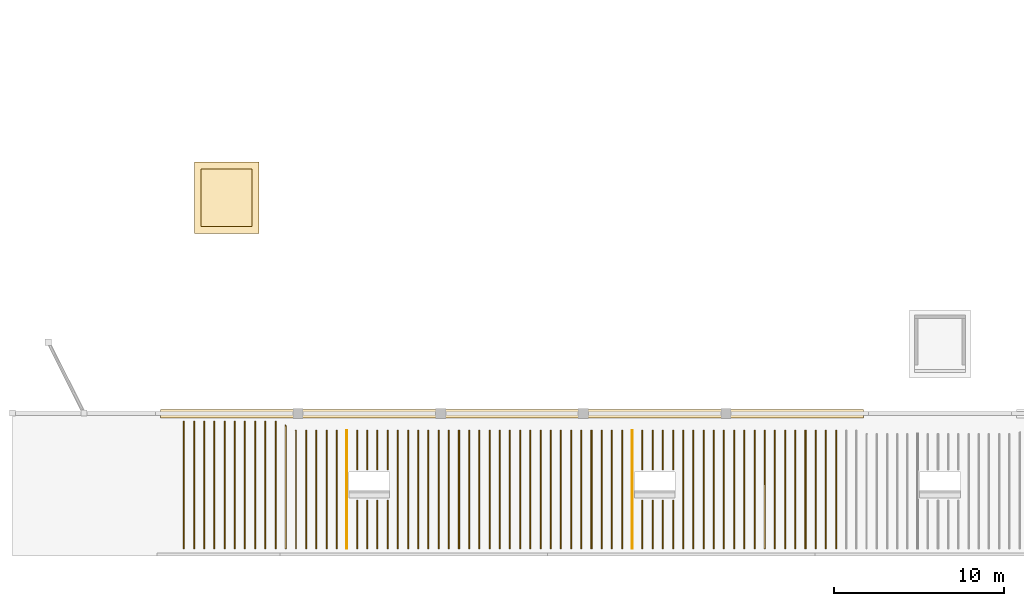
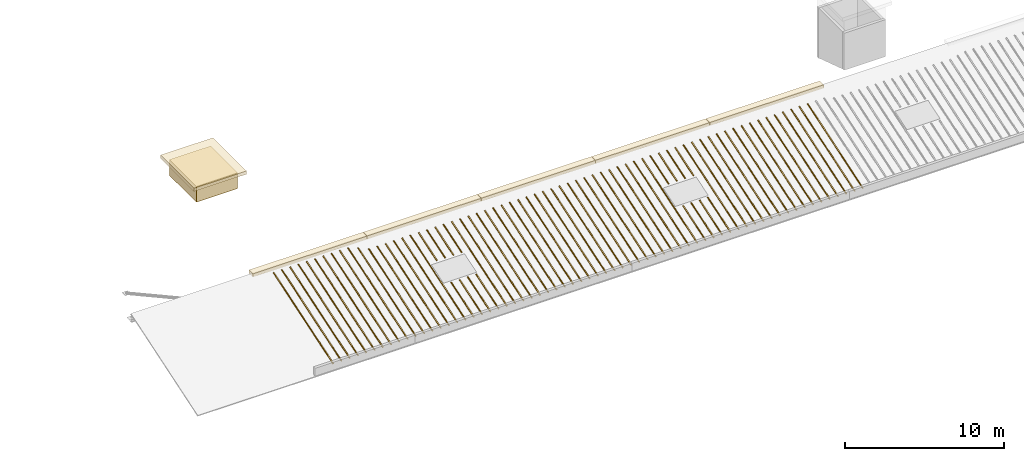
# One storey, part 72 of 91: 80 coverings.
"""IFC4 building model written with IfcOpenShell, lengths in metres."""

import ifcopenshell
import ifcopenshell.guid

model = None  # the IFC model being written
_history = None  # IfcOwnerHistory: only IFC2X3 demands one
_inside = {}  # id of a spatial element -> (the spatial element, [elements in it])
_under = {}  # id of a project, library or spatial element -> (it, [spatial elements below it])
_declared = {}  # id of a project -> (the project, [libraries it declares])
_typed = {}  # id of a type object -> (the type object, [elements of that type])
_made_of = {}  # id of a material, layer set ... -> (it, [elements and type objects made of it])


def new_model(schema):
    """Start an empty IFC model of exactly this schema.

    Asked for "IFC4X3", IfcOpenShell would pick the latest addendum, in which some entities
    have other attributes; the version numbers below select the first issue.
    IFC2X3 requires an IfcOwnerHistory on every rooted entity: one is made here for all.
    """
    global model, _history
    if schema == "IFC4X3":
        model = ifcopenshell.file(schema_version=(4, 3, 0, 0))
    else:
        model = ifcopenshell.file(schema=schema)
    _inside.clear()
    _under.clear()
    _declared.clear()
    _typed.clear()
    _made_of.clear()
    _history = None
    if model.schema == "IFC2X3":
        org = make("IfcOrganization", Name="unknown")
        user = make(
            "IfcPersonAndOrganization",
            ThePerson=make("IfcPerson", FamilyName="unknown"),
            TheOrganization=org,
        )
        app = make(
            "IfcApplication",
            ApplicationDeveloper=org,
            Version="unknown",
            ApplicationFullName="unknown",
            ApplicationIdentifier="unknown",
        )
        _history = make(
            "IfcOwnerHistory",
            OwningUser=user,
            OwningApplication=app,
            ChangeAction="ADDED",
            CreationDate=0,
        )
    return model


def make(cls, **values):
    """One entity of the class cls with the attributes given. An attribute that is None is left unset."""
    return model.create_entity(
        cls, **{name: value for name, value in values.items() if value is not None}
    )


def rooted(cls, **values):
    """An entity with a GlobalId (a new one), such as an element, a storey or a relation."""
    return make(cls, GlobalId=ifcopenshell.guid.new(), OwnerHistory=_history, **values)


def si_unit(unit_type, name, prefix=None):
    """IfcSIUnit, for example si_unit("LENGTHUNIT", "METRE", prefix="MILLI")."""
    return make("IfcSIUnit", UnitType=unit_type, Prefix=prefix, Name=name)


def assignment(units):
    """IfcUnitAssignment: the units of a project."""
    return None if units is None else make("IfcUnitAssignment", Units=units)


def point(xyz):
    """IfcCartesianPoint."""
    return None if xyz is None else make("IfcCartesianPoint", Coordinates=xyz)


def direction(xyz):
    """IfcDirection."""
    return None if xyz is None else make("IfcDirection", DirectionRatios=xyz)


def frame(location, z_axis=None, x_axis=None):
    """IfcAxis2Placement3D, a coordinate frame: its origin and axes. An axis left out is left unset."""
    return make(
        "IfcAxis2Placement3D",
        Location=point(location),
        Axis=direction(z_axis),
        RefDirection=direction(x_axis),
    )


def frame_2d(location, x_axis=None):
    """IfcAxis2Placement2D, a coordinate frame in the plane: its origin and x axis."""
    return make(
        "IfcAxis2Placement2D", Location=point(location), RefDirection=direction(x_axis)
    )


def origin():
    """The frame at (0, 0, 0) with its axes left unset."""
    return frame((0.0, 0.0, 0.0))


def origin_2d():
    """The frame at (0, 0) in the plane with its x axis left unset."""
    return frame_2d((0.0, 0.0))


def place(relative_to, where):
    """IfcLocalPlacement: puts the frame where relative to a parent placement (None: the world)."""
    return make(
        "IfcLocalPlacement", PlacementRelTo=relative_to, RelativePlacement=where
    )


def context(
    kind, dimensions, precision=None, world=None, true_north=None, identifier=None
):
    """IfcGeometricRepresentationContext, for example the 3D "Model" context."""
    return make(
        "IfcGeometricRepresentationContext",
        ContextIdentifier=identifier,
        ContextType=kind,
        CoordinateSpaceDimension=dimensions,
        Precision=precision,
        WorldCoordinateSystem=world,
        TrueNorth=true_north,
    )


def subcontext(parent, identifier, kind, view, scale=None):
    """IfcGeometricRepresentationSubContext, for example "Body" below "Model"."""
    return make(
        "IfcGeometricRepresentationSubContext",
        ContextIdentifier=identifier,
        ContextType=kind,
        ParentContext=parent,
        TargetScale=scale,
        TargetView=view,
    )


def project(units=None, contexts=None):
    """IfcProject with its units and contexts."""
    return rooted(
        "IfcProject",
        Name="project",
        RepresentationContexts=contexts,
        UnitsInContext=assignment(units),
    )


def spatial(cls, under=None, at=None, **own):
    """A site, building, storey or space (cls), placed at a placement, below another one or the project."""
    s = rooted(cls, ObjectPlacement=at, **own)
    if under is not None:
        _under.setdefault(under.id(), (under, []))[1].append(s)
    return s


def polyline(points):
    """IfcPolyline through the points."""
    return make("IfcPolyline", Points=[point(p) for p in points])


def profile(cls, at=None, kind="AREA", **sizes):
    """A parametric profile (cls). Its sizes go by their IFC names, for example OverallWidth=200.0."""
    return make(cls, ProfileType=kind, Position=at, **sizes)


def rectangle(**sizes):
    """IfcRectangleProfileDef."""
    return profile("IfcRectangleProfileDef", **sizes)


def outline(outer, holes=None, kind="AREA"):
    """IfcArbitraryClosedProfileDef: a profile drawn as a closed curve; with holes, ...WithVoids."""
    if holes is None:
        return make("IfcArbitraryClosedProfileDef", ProfileType=kind, OuterCurve=outer)
    return make(
        "IfcArbitraryProfileDefWithVoids",
        ProfileType=kind,
        OuterCurve=outer,
        InnerCurves=holes,
    )


def extrude(swept, where, along, depth):
    """IfcExtrudedAreaSolid: the profile swept, set in the frame where, extruded along a direction by depth."""
    return make(
        "IfcExtrudedAreaSolid",
        SweptArea=swept,
        Position=where,
        ExtrudedDirection=direction(along),
        Depth=depth,
    )


def shape(context_of_items, identifier, shape_type, items):
    """IfcShapeRepresentation: the items that make up one representation, for example the "Body"."""
    return make(
        "IfcShapeRepresentation",
        ContextOfItems=context_of_items,
        RepresentationIdentifier=identifier,
        RepresentationType=shape_type,
        Items=items,
    )


def material(Name=None, Category=None):
    """IfcMaterial."""
    return make("IfcMaterial", Name=Name, Category=Category)


def layer(
    of_material, thickness, ventilated=None, Name=None, Category=None, Priority=None
):
    """IfcMaterialLayer: one layer of a wall or slab, of a material (None: an air gap)."""
    return make(
        "IfcMaterialLayer",
        Material=of_material,
        LayerThickness=thickness,
        IsVentilated=ventilated,
        Name=Name,
        Category=Category,
        Priority=Priority,
    )


def layer_set(layers, Name=None):
    """IfcMaterialLayerSet."""
    return make("IfcMaterialLayerSet", MaterialLayers=layers, LayerSetName=Name)


def made_of(thing, what):
    """Note that an element or type object is made of a material, layer set ...; save() writes the relation."""
    if what is not None:
        _made_of.setdefault(what.id(), (what, []))[1].append(thing)
    return thing


def type_object(cls, material=None, **own):
    """A type object (cls), such as IfcWallType, which elements share."""
    return made_of(rooted(cls, **own), material)


def element(
    cls,
    number,
    at=None,
    inside=None,
    cuts=None,
    type_object=None,
    material=None,
    context=None,
    identifier="Body",
    shape_type=None,
    held_by="IfcProductDefinitionShape",
    body=None,
    shapes=None,
    **own,
):
    """One element of the class cls, such as IfcWall. Its Tag is "e" and its number.

    at: its placement. inside: the storey or other place that contains it. cuts: it is an
    opening in that element (IfcRelVoidsElement). A single representation is given by context,
    identifier, shape_type and body (its items); several are given by shapes. held_by: the class
    of the entity that holds the representations. save() writes the other relations.
    """
    e = rooted(cls, Tag="e%d" % number, ObjectPlacement=at, **own)
    if body is not None:
        shapes = [shape(context, identifier, shape_type, body)]
    if shapes is not None:
        e.Representation = make(held_by, Representations=shapes)
    if inside is not None:
        _inside.setdefault(inside.id(), (inside, []))[1].append(e)
    if cuts is not None:
        rooted(
            "IfcRelVoidsElement", RelatingBuildingElement=cuts, RelatedOpeningElement=e
        )
    if type_object is not None:
        _typed.setdefault(type_object.id(), (type_object, []))[1].append(e)
    return made_of(e, material)


def aggregate(whole, parts):
    """IfcRelAggregates: a whole, such as a stair, and the parts it consists of."""
    return rooted("IfcRelAggregates", RelatingObject=whole, RelatedObjects=parts)


def save(model, path):
    """Write the relations noted so far, then the file.

    IfcRelAggregates (storeys below a building ...), IfcRelContainedInSpatialStructure (elements
    in a storey), IfcRelDefinesByType, IfcRelAssociatesMaterial and IfcRelDeclares: one each for
    every whole, place, type object, material and project.
    """
    for whole, parts in _under.values():
        aggregate(whole, parts)
    for where, things in _inside.values():
        rooted(
            "IfcRelContainedInSpatialStructure",
            RelatedElements=things,
            RelatingStructure=where,
        )
    for kind, things in _typed.values():
        rooted("IfcRelDefinesByType", RelatedObjects=things, RelatingType=kind)
    for what, things in _made_of.values():
        rooted("IfcRelAssociatesMaterial", RelatedObjects=things, RelatingMaterial=what)
    for by, libraries in _declared.values():
        rooted("IfcRelDeclares", RelatingContext=by, RelatedDefinitions=libraries)
    model.write(path)


model = new_model("IFC4")

# Units and contexts
model_context = context("Model", 3, precision=1e-05, world=origin(), true_north=direction((0.0, 1.0)))
body_context = subcontext(model_context, "Body", "Model", "MODEL_VIEW")
ifc_project = project(units=[si_unit("LENGTHUNIT", "METRE"), si_unit("AREAUNIT", "SQUARE_METRE"), si_unit("VOLUMEUNIT", "CUBIC_METRE"), si_unit("PLANEANGLEUNIT", "RADIAN"), si_unit("MASSUNIT", "GRAM", prefix="KILO")], contexts=[model_context])

# Site, building, storey
site_placement = place(None, origin())
site = spatial("IfcSite", under=ifc_project, at=site_placement, CompositionType="ELEMENT")
building_placement = place(site_placement, origin())
building = spatial("IfcBuilding", under=site, at=building_placement, Name="Almond Square Museum", CompositionType="ELEMENT")
storey_placement = place(building_placement, frame((0.0, 0.0, 30.0)))
storey = spatial("IfcBuildingStorey", under=building, at=storey_placement, Name="L05", CompositionType="ELEMENT", Elevation=30.0)

# Coverings
ifc_material_1 = material(Name="Timber deck and membrane roofing", Category="wood")
ifc_layer_1 = layer(ifc_material_1, 0.25)
ifc_layer_set_1 = layer_set([ifc_layer_1], Name="Timber deck and membrane roofing")
covering_type_1 = type_object("IfcCoveringType", Name="Head house cap, timber and membrane", PredefinedType="CLADDING", material=ifc_layer_set_1)
covering_1_placement = place(storey_placement, frame((18.60009765625, 21.10009765625, 1.892578125), z_axis=(0.0, 0.0, 1.0), x_axis=(1.0, 0.0, 0.0)))
element("IfcCovering", 1, at=covering_1_placement, inside=storey, type_object=covering_type_1, Name="Head house roof cap W1", PredefinedType="CLADDING", context=body_context, shape_type="SweptSolid", body=[
    extrude(rectangle(XDim=3.800048828125, YDim=4.199951171875, at=origin_2d()), origin(), (0.0, 0.0, 1.0), 0.25),
])
ifc_material_2 = material(Name="Zinc standing seam cladding")
ifc_layer_2 = layer(ifc_material_2, 1.199951171875)
ifc_layer_set_2 = layer_set([ifc_layer_2], Name="Zinc standing seam cladding")
covering_type_2 = type_object("IfcCoveringType", Name="Lift overrun cladding 1200", PredefinedType="CLADDING", material=ifc_layer_set_2)
covering_2_placement = place(storey_placement, frame((18.60009765625, 21.10009765625, 0.6923828125), z_axis=(0.0, 0.0, 1.0), x_axis=(1.0, 0.0, 0.0)))
element("IfcCovering", 2, at=covering_2_placement, inside=storey, type_object=covering_type_2, Name="Lift overrun cladding W1", PredefinedType="CLADDING", context=body_context, shape_type="SweptSolid", body=[
    extrude(rectangle(XDim=3.0, YDim=3.39990234375, at=origin_2d()), origin(), (0.0, 0.0, 1.0), 1.199951171875),
])
ifc_material_3 = material(Name="Zinc standing seam cladding")
ifc_layer_3 = layer(ifc_material_3, 0.25)
ifc_layer_set_3 = layer_set([ifc_layer_3], Name="Zinc standing seam cladding")
covering_type_3 = type_object("IfcCoveringType", Name="Ridge cap, standing seam zinc", PredefinedType="CLADDING", material=ifc_layer_set_3)
for number, where, z_axis, x_axis, name in (
    (3, (18.840087890625, 8.39990234375, 2.609375), (0.0, 0.0, 1.0), (1.0, 0.0, 0.0), "Ridge cap 1"),
    (4, (27.1201171875, 8.39990234375, 2.609375), (0.0, 0.0, 1.0), (1.0, 0.0, 0.0), "Ridge cap 2"),
    (5, (35.39990234375, 8.39990234375, 2.609375), (0.0, 0.0, 1.0), (1.0, 0.0, 0.0), "Ridge cap 3"),
    (6, (43.679931640625, 8.39990234375, 2.609375), (0.0, 0.0, 1.0), (1.0, 0.0, 0.0), "Ridge cap 4"),
    (7, (51.9599609375, 8.39990234375, 2.609375), (0.0, 0.0, 1.0), (1.0, 0.0, 0.0), "Ridge cap 5"),
):
    element("IfcCovering", number, at=place(storey_placement, frame(where, z_axis=z_axis, x_axis=x_axis)), inside=storey, type_object=covering_type_3, Name=name, PredefinedType="CLADDING", context=body_context, shape_type="SweptSolid", body=[
        extrude(rectangle(XDim=8.260009765625, YDim=0.5, at=origin_2d()), origin(), (0.0, 0.0, 1.0), 0.25),
    ])
ifc_material_4 = material(Name="Zinc standing seam")
ifc_layer_4 = layer(ifc_material_4, 0.0400390625)
ifc_layer_set_4 = layer_set([ifc_layer_4], Name="Zinc standing seam")
covering_type_4 = type_object("IfcCoveringType", Name="Roof standing seam rib 60 x 40", PredefinedType="CLADDING", material=ifc_layer_set_4)
for number, where, z_axis, x_axis, name in (
    (8, (16.050048828125, 0.449951171875, 0.146240234375), (0.0, -0.309002066983, 0.951061366369), (1.0, 0.0, 0.0), "Roof standing seam rib"),
    (9, (16.64990234375, 0.449951171875, 0.146240234375), (0.0, -0.309002066983, 0.951061366369), (1.0, 0.0, 0.0), "Roof standing seam rib"),
    (10, (17.25, 0.449951171875, 0.146240234375), (0.0, -0.309002066983, 0.951061366369), (1.0, 0.0, 0.0), "Roof standing seam rib"),
):
    element("IfcCovering", number, at=place(storey_placement, frame(where, z_axis=z_axis, x_axis=x_axis)), inside=storey, type_object=covering_type_4, Name=name, PredefinedType="CLADDING", context=body_context, shape_type="SweptSolid", body=[
        extrude(outline(polyline([(0.0, 0.0), (0.06005859375, 0.0), (0.06005859375, 7.8859264661675095), (0.0, 7.8859264661675095), (0.0, 0.0)])), origin(), (0.0, 0.0, 1.0), 0.0400390625),
    ])
covering_3_placement = place(storey_placement, frame((17.85009765625, 0.449951171875, 0.146240234375), z_axis=(0.0, -0.309002066983, 0.951061366369), x_axis=(1.0, 0.0, 0.0)))
element("IfcCovering", 11, at=covering_3_placement, inside=storey, type_object=covering_type_4, Name="Roof standing seam rib", PredefinedType="CLADDING", context=body_context, shape_type="SweptSolid", body=[
    extrude(outline(polyline([(0.0, 0.0), (0.059814453125, 0.0), (0.059814453125, 7.8859264661675095), (0.0, 7.8859264661675095), (0.0, 0.0)])), origin(), (0.0, 0.0, 1.0), 0.0400390625),
])
for number, where, z_axis, x_axis, name in (
    (12, (18.449951171875, 0.449951171875, 0.146240234375), (0.0, -0.309002066983, 0.951061366369), (1.0, 0.0, 0.0), "Roof standing seam rib"),
    (13, (19.050048828125, 0.449951171875, 0.146240234375), (0.0, -0.309002066983, 0.951061366369), (1.0, 0.0, 0.0), "Roof standing seam rib"),
    (14, (19.64990234375, 0.449951171875, 0.146240234375), (0.0, -0.309002066983, 0.951061366369), (1.0, 0.0, 0.0), "Roof standing seam rib"),
    (15, (20.25, 0.449951171875, 0.146240234375), (0.0, -0.309002066983, 0.951061366369), (1.0, 0.0, 0.0), "Roof standing seam rib"),
):
    element("IfcCovering", number, at=place(storey_placement, frame(where, z_axis=z_axis, x_axis=x_axis)), inside=storey, type_object=covering_type_4, Name=name, PredefinedType="CLADDING", context=body_context, shape_type="SweptSolid", body=[
        extrude(outline(polyline([(0.0, 0.0), (0.06005859375, 0.0), (0.06005859375, 7.8859264661675095), (0.0, 7.8859264661675095), (0.0, 0.0)])), origin(), (0.0, 0.0, 1.0), 0.0400390625),
    ])
covering_4_placement = place(storey_placement, frame((20.85009765625, 0.449951171875, 0.146240234375), z_axis=(0.0, -0.309002066983, 0.951061366369), x_axis=(1.0, 0.0, 0.0)))
element("IfcCovering", 16, at=covering_4_placement, inside=storey, type_object=covering_type_4, Name="Roof standing seam rib", PredefinedType="CLADDING", context=body_context, shape_type="SweptSolid", body=[
    extrude(outline(polyline([(0.0, 0.0), (0.059814453125, 0.0), (0.059814453125, 7.8859264661675095), (0.0, 7.8859264661675095), (0.0, 0.0)])), origin(), (0.0, 0.0, 1.0), 0.0400390625),
])
covering_5_placement = place(storey_placement, frame((21.449951171875, 0.449951171875, 0.146240234375), z_axis=(0.0, -0.309002066983, 0.951061366369), x_axis=(1.0, 0.0, 0.0)))
element("IfcCovering", 17, at=covering_5_placement, inside=storey, type_object=covering_type_4, Name="Roof standing seam rib", PredefinedType="CLADDING", context=body_context, shape_type="SweptSolid", body=[
    extrude(outline(polyline([(0.0, 0.0), (0.06005859375, 0.0), (0.06005859375, 7.8859264661675095), (0.0, 7.8859264661675095), (0.0, 0.0)])), origin(), (0.0, 0.0, 1.0), 0.0400390625),
])
covering_6_placement = place(storey_placement, frame((22.050048828125, 0.449951171875, 0.146240234375), z_axis=(0.000969371242, -0.308997323303, 0.951062413573), x_axis=(0.99999953016, 0.00029953326, -0.000921932986)))
element("IfcCovering", 18, at=covering_6_placement, inside=storey, type_object=covering_type_4, Name="Roof standing seam rib", PredefinedType="CLADDING", context=body_context, shape_type="SweptSolid", body=[
    extrude(outline(polyline([(0.0, 0.0), (0.06005856553204551, 3.255782891008717e-21), (0.060058621967967754, 7.599414690370121), (-5.643592224449656e-08, 7.66542517437418), (0.0, 0.0)])), origin(), (0.0, 0.0, 1.0), 0.0400390625),
])
covering_7_placement = place(storey_placement, frame((22.64990234375, 0.449951171875, 0.146240234375), z_axis=(-9.0541726e-05, -0.309006091961, 0.951060054325), x_axis=(0.999999995901, -2.7977945e-05, 8.6110619e-05)))
element("IfcCovering", 19, at=covering_7_placement, inside=storey, type_object=covering_type_4, Name="Roof standing seam rib", PredefinedType="CLADDING", context=body_context, shape_type="SweptSolid", body=[
    extrude(outline(polyline([(0.0, 0.0), (0.060058593503825704, 2.034864306880448e-22), (0.060058593996174296, 7.3122063357714255), (-4.923485890089441e-10, 7.320930727618375), (0.0, 0.0)])), origin(), (0.0, 0.0, 1.0), 0.0400390625),
])
covering_8_placement = place(storey_placement, frame((23.25, 0.449951171875, 0.146240234375), z_axis=(0.0, -0.30900221749, 0.951061317469), x_axis=(1.0, 0.0, 0.0)))
element("IfcCovering", 20, at=covering_8_placement, inside=storey, type_object=covering_type_4, Name="Roof standing seam rib", PredefinedType="CLADDING", context=body_context, shape_type="SweptSolid", body=[
    extrude(outline(polyline([(0.0, 0.0), (0.06005859375, 0.0), (0.06005859375, 7.307574227041238), (0.0, 7.307574227041238), (0.0, 0.0)])), origin(), (0.0, 0.0, 1.0), 0.0400390625),
])
covering_9_placement = place(storey_placement, frame((23.85009765625, 0.449951171875, 0.146240234375), z_axis=(0.0, -0.30900221749, 0.951061317469), x_axis=(1.0, 0.0, 0.0)))
element("IfcCovering", 21, at=covering_9_placement, inside=storey, type_object=covering_type_4, Name="Roof standing seam rib", PredefinedType="CLADDING", context=body_context, shape_type="SweptSolid", body=[
    extrude(outline(polyline([(0.0, 0.0), (0.059814453125, 0.0), (0.059814453125, 7.307574227041239), (0.0, 7.307574227041239), (0.0, 0.0)])), origin(), (0.0, 0.0, 1.0), 0.0400390625),
])
for number, where, z_axis, x_axis, name in (
    (22, (24.449951171875, 0.449951171875, 0.146240234375), (0.0, -0.30900221749, 0.951061317469), (1.0, 0.0, 0.0), "Roof standing seam rib"),
    (23, (25.050048828125, 0.449951171875, 0.146240234375), (0.0, -0.30900221749, 0.951061317469), (1.0, 0.0, 0.0), "Roof standing seam rib"),
):
    element("IfcCovering", number, at=place(storey_placement, frame(where, z_axis=z_axis, x_axis=x_axis)), inside=storey, type_object=covering_type_4, Name=name, PredefinedType="CLADDING", context=body_context, shape_type="SweptSolid", body=[
        extrude(outline(polyline([(0.0, 0.0), (0.06005859375, 0.0), (0.06005859375, 7.307574227041238), (0.0, 7.307574227041238), (0.0, 0.0)])), origin(), (0.0, 0.0, 1.0), 0.0400390625),
    ])
covering_10_placement = place(storey_placement, frame((25.64990234375, 0.449951171875, 0.146240234375), z_axis=(0.000379539092, -0.309004860118, 0.951060383137), x_axis=(0.999999927975, 0.000117279432, -0.00036096462)))
element("IfcCovering", 24, at=covering_10_placement, inside=storey, type_object=covering_type_4, Name="Roof standing seam rib", PredefinedType="CLADDING", context=body_context, shape_type="SweptSolid", body=[
    extrude(outline(polyline([(0.0, 0.0), (0.06005858942428196, 0.0), (0.06005858485644865, 2.9967615310696782), (0.05004881995240166, 2.9967615310696782), (0.05004886658086134, 4.889397127556355), (0.06005863148490834, 4.889397127556355), (0.06005859719569191, 7.307574227012552), (7.771409947965498e-09, 7.307574227012552), (0.0, 0.0)])), origin(), (0.0, 0.0, 1.0), 0.0400390625),
])
covering_11_placement = place(storey_placement, frame((26.25, 0.449951171875, 0.146240234375), z_axis=(0.0, -0.309008701899, 0.951059210644), x_axis=(1.0, 0.0, 0.0)))
element("IfcCovering", 25, at=covering_11_placement, inside=storey, type_object=covering_type_4, Name="Roof standing seam rib", PredefinedType="CLADDING", context=body_context, shape_type="SweptSolid", body=[
    extrude(outline(polyline([(0.0, 0.0), (0.06005859375, 0.0), (0.06005859375, 2.9967615310938447), (0.0, 2.9967615310938447), (0.0, 0.0)])), origin(), (0.0, 0.0, 1.0), 0.0400390625),
])
covering_12_placement = place(storey_placement, frame((26.25, 5.10009765625, 1.656982421875), z_axis=(0.0, -0.309040414274, 0.95104890639), x_axis=(1.0, 0.0, 0.0)))
element("IfcCovering", 26, at=covering_12_placement, inside=storey, type_object=covering_type_4, Name="Roof standing seam rib", PredefinedType="CLADDING", context=body_context, shape_type="SweptSolid", body=[
    extrude(outline(polyline([(0.0, 0.0), (0.06005859375, 0.0), (0.06005859375, 2.4181771011438533), (0.0, 2.4181771011438533), (0.0, 0.0)])), origin(), (0.0, 0.0, 1.0), 0.0400390625),
])
covering_13_placement = place(storey_placement, frame((26.85009765625, 0.449951171875, 0.146240234375), z_axis=(0.0, -0.309008701899, 0.951059210644), x_axis=(1.0, 0.0, 0.0)))
element("IfcCovering", 27, at=covering_13_placement, inside=storey, type_object=covering_type_4, Name="Roof standing seam rib", PredefinedType="CLADDING", context=body_context, shape_type="SweptSolid", body=[
    extrude(outline(polyline([(0.0, 0.0), (0.059814453125, 0.0), (0.059814453125, 2.996761531093845), (0.0, 2.996761531093845), (0.0, 0.0)])), origin(), (0.0, 0.0, 1.0), 0.0400390625),
])
covering_14_placement = place(storey_placement, frame((26.85009765625, 5.10009765625, 1.656982421875), z_axis=(0.0, -0.309040414274, 0.95104890639), x_axis=(1.0, 0.0, 0.0)))
element("IfcCovering", 28, at=covering_14_placement, inside=storey, type_object=covering_type_4, Name="Roof standing seam rib", PredefinedType="CLADDING", context=body_context, shape_type="SweptSolid", body=[
    extrude(outline(polyline([(0.0, 0.0), (0.059814453125, 0.0), (0.059814453125, 2.418177101143853), (0.0, 2.418177101143853), (0.0, 0.0)])), origin(), (0.0, 0.0, 1.0), 0.0400390625),
])
covering_15_placement = place(storey_placement, frame((27.449951171875, 0.449951171875, 0.146240234375), z_axis=(0.0, -0.309008701899, 0.951059210644), x_axis=(1.0, 0.0, 0.0)))
element("IfcCovering", 29, at=covering_15_placement, inside=storey, type_object=covering_type_4, Name="Roof standing seam rib", PredefinedType="CLADDING", context=body_context, shape_type="SweptSolid", body=[
    extrude(outline(polyline([(0.0, 0.0), (0.06005859375, 0.0), (0.06005859375, 2.9967615310938447), (0.0, 2.9967615310938447), (0.0, 0.0)])), origin(), (0.0, 0.0, 1.0), 0.0400390625),
])
covering_16_placement = place(storey_placement, frame((27.449951171875, 5.10009765625, 1.656982421875), z_axis=(0.0, -0.309040414274, 0.95104890639), x_axis=(1.0, 0.0, 0.0)))
element("IfcCovering", 30, at=covering_16_placement, inside=storey, type_object=covering_type_4, Name="Roof standing seam rib", PredefinedType="CLADDING", context=body_context, shape_type="SweptSolid", body=[
    extrude(outline(polyline([(0.0, 0.0), (0.06005859375, 0.0), (0.06005859375, 2.4181771011438533), (0.0, 2.4181771011438533), (0.0, 0.0)])), origin(), (0.0, 0.0, 1.0), 0.0400390625),
])
covering_17_placement = place(storey_placement, frame((28.050048828125, 0.449951171875, 0.146240234375), z_axis=(0.0, -0.309008701899, 0.951059210644), x_axis=(1.0, 0.0, 0.0)))
element("IfcCovering", 31, at=covering_17_placement, inside=storey, type_object=covering_type_4, Name="Roof standing seam rib", PredefinedType="CLADDING", context=body_context, shape_type="SweptSolid", body=[
    extrude(outline(polyline([(0.0, 0.0), (0.06005859375, 0.0), (0.06005859375, 2.9967615310938447), (0.0, 2.9967615310938447), (0.0, 0.0)])), origin(), (0.0, 0.0, 1.0), 0.0400390625),
])
covering_18_placement = place(storey_placement, frame((28.050048828125, 5.10009765625, 1.656982421875), z_axis=(0.0, -0.309040414274, 0.95104890639), x_axis=(1.0, 0.0, 0.0)))
element("IfcCovering", 32, at=covering_18_placement, inside=storey, type_object=covering_type_4, Name="Roof standing seam rib", PredefinedType="CLADDING", context=body_context, shape_type="SweptSolid", body=[
    extrude(outline(polyline([(0.0, 0.0), (0.06005859375, 0.0), (0.06005859375, 2.4181771011438533), (0.0, 2.4181771011438533), (0.0, 0.0)])), origin(), (0.0, 0.0, 1.0), 0.0400390625),
])
for number, where, z_axis, x_axis, name in (
    (33, (28.64990234375, 0.449951171875, 0.146240234375), (0.0, -0.30900221749, 0.951061317469), (1.0, 0.0, 0.0), "Roof standing seam rib"),
    (34, (29.25, 0.449951171875, 0.146240234375), (0.0, -0.30900221749, 0.951061317469), (1.0, 0.0, 0.0), "Roof standing seam rib"),
):
    element("IfcCovering", number, at=place(storey_placement, frame(where, z_axis=z_axis, x_axis=x_axis)), inside=storey, type_object=covering_type_4, Name=name, PredefinedType="CLADDING", context=body_context, shape_type="SweptSolid", body=[
        extrude(outline(polyline([(0.0, 0.0), (0.06005859375, 0.0), (0.06005859375, 7.307574227041238), (0.0, 7.307574227041238), (0.0, 0.0)])), origin(), (0.0, 0.0, 1.0), 0.0400390625),
    ])
covering_19_placement = place(storey_placement, frame((29.85009765625, 0.449951171875, 0.146240234375), z_axis=(0.0, -0.30900221749, 0.951061317469), x_axis=(1.0, 0.0, 0.0)))
element("IfcCovering", 35, at=covering_19_placement, inside=storey, type_object=covering_type_4, Name="Roof standing seam rib", PredefinedType="CLADDING", context=body_context, shape_type="SweptSolid", body=[
    extrude(outline(polyline([(0.0, 0.0), (0.059814453125, 0.0), (0.059814453125, 7.307574227041239), (0.0, 7.307574227041239), (0.0, 0.0)])), origin(), (0.0, 0.0, 1.0), 0.0400390625),
])
for number, where, z_axis, x_axis, name in (
    (36, (30.449951171875, 0.449951171875, 0.146240234375), (0.0, -0.30900221749, 0.951061317469), (1.0, 0.0, 0.0), "Roof standing seam rib"),
    (37, (31.050048828125, 0.449951171875, 0.146240234375), (0.0, -0.30900221749, 0.951061317469), (1.0, 0.0, 0.0), "Roof standing seam rib"),
    (38, (31.64990234375, 0.449951171875, 0.146240234375), (0.0, -0.30900221749, 0.951061317469), (1.0, 0.0, 0.0), "Roof standing seam rib"),
    (39, (32.25, 0.449951171875, 0.146240234375), (0.0, -0.30900221749, 0.951061317469), (1.0, 0.0, 0.0), "Roof standing seam rib"),
):
    element("IfcCovering", number, at=place(storey_placement, frame(where, z_axis=z_axis, x_axis=x_axis)), inside=storey, type_object=covering_type_4, Name=name, PredefinedType="CLADDING", context=body_context, shape_type="SweptSolid", body=[
        extrude(outline(polyline([(0.0, 0.0), (0.06005859375, 0.0), (0.06005859375, 7.307574227041238), (0.0, 7.307574227041238), (0.0, 0.0)])), origin(), (0.0, 0.0, 1.0), 0.0400390625),
    ])
covering_20_placement = place(storey_placement, frame((32.85009765625, 0.449951171875, 0.146240234375), z_axis=(0.0, -0.30900221749, 0.951061317469), x_axis=(1.0, 0.0, 0.0)))
element("IfcCovering", 40, at=covering_20_placement, inside=storey, type_object=covering_type_4, Name="Roof standing seam rib", PredefinedType="CLADDING", context=body_context, shape_type="SweptSolid", body=[
    extrude(outline(polyline([(0.0, 0.0), (0.059814453125, 0.0), (0.059814453125, 7.307574227041239), (0.0, 7.307574227041239), (0.0, 0.0)])), origin(), (0.0, 0.0, 1.0), 0.0400390625),
])
for number, where, z_axis, x_axis, name in (
    (41, (33.449951171875, 0.449951171875, 0.146240234375), (0.0, -0.30900221749, 0.951061317469), (1.0, 0.0, 0.0), "Roof standing seam rib"),
    (42, (34.050048828125, 0.449951171875, 0.146240234375), (0.0, -0.30900221749, 0.951061317469), (1.0, 0.0, 0.0), "Roof standing seam rib"),
    (43, (34.64990234375, 0.449951171875, 0.146240234375), (0.0, -0.30900221749, 0.951061317469), (1.0, 0.0, 0.0), "Roof standing seam rib"),
    (44, (35.25, 0.449951171875, 0.146240234375), (0.0, -0.30900221749, 0.951061317469), (1.0, 0.0, 0.0), "Roof standing seam rib"),
):
    element("IfcCovering", number, at=place(storey_placement, frame(where, z_axis=z_axis, x_axis=x_axis)), inside=storey, type_object=covering_type_4, Name=name, PredefinedType="CLADDING", context=body_context, shape_type="SweptSolid", body=[
        extrude(outline(polyline([(0.0, 0.0), (0.06005859375, 0.0), (0.06005859375, 7.307574227041238), (0.0, 7.307574227041238), (0.0, 0.0)])), origin(), (0.0, 0.0, 1.0), 0.0400390625),
    ])
covering_21_placement = place(storey_placement, frame((35.85009765625, 0.449951171875, 0.146240234375), z_axis=(0.0, -0.30900221749, 0.951061317469), x_axis=(1.0, 0.0, 0.0)))
element("IfcCovering", 45, at=covering_21_placement, inside=storey, type_object=covering_type_4, Name="Roof standing seam rib", PredefinedType="CLADDING", context=body_context, shape_type="SweptSolid", body=[
    extrude(outline(polyline([(0.0, 0.0), (0.059814453125, 0.0), (0.059814453125, 7.307574227041239), (0.0, 7.307574227041239), (0.0, 0.0)])), origin(), (0.0, 0.0, 1.0), 0.0400390625),
])
for number, where, z_axis, x_axis, name in (
    (46, (36.449951171875, 0.449951171875, 0.146240234375), (0.0, -0.30900221749, 0.951061317469), (1.0, 0.0, 0.0), "Roof standing seam rib"),
    (47, (37.050048828125, 0.449951171875, 0.146240234375), (0.0, -0.30900221749, 0.951061317469), (1.0, 0.0, 0.0), "Roof standing seam rib"),
    (48, (37.64990234375, 0.449951171875, 0.146240234375), (0.0, -0.30900221749, 0.951061317469), (1.0, 0.0, 0.0), "Roof standing seam rib"),
    (49, (38.25, 0.449951171875, 0.146240234375), (0.0, -0.30900221749, 0.951061317469), (1.0, 0.0, 0.0), "Roof standing seam rib"),
):
    element("IfcCovering", number, at=place(storey_placement, frame(where, z_axis=z_axis, x_axis=x_axis)), inside=storey, type_object=covering_type_4, Name=name, PredefinedType="CLADDING", context=body_context, shape_type="SweptSolid", body=[
        extrude(outline(polyline([(0.0, 0.0), (0.06005859375, 0.0), (0.06005859375, 7.307574227041238), (0.0, 7.307574227041238), (0.0, 0.0)])), origin(), (0.0, 0.0, 1.0), 0.0400390625),
    ])
covering_22_placement = place(storey_placement, frame((38.85009765625, 0.449951171875, 0.146240234375), z_axis=(0.0, -0.30900221749, 0.951061317469), x_axis=(1.0, 0.0, 0.0)))
element("IfcCovering", 50, at=covering_22_placement, inside=storey, type_object=covering_type_4, Name="Roof standing seam rib", PredefinedType="CLADDING", context=body_context, shape_type="SweptSolid", body=[
    extrude(outline(polyline([(0.0, 0.0), (0.059814453125, 0.0), (0.059814453125, 7.307574227041239), (0.0, 7.307574227041239), (0.0, 0.0)])), origin(), (0.0, 0.0, 1.0), 0.0400390625),
])
for number, where, z_axis, x_axis, name in (
    (51, (39.449951171875, 0.449951171875, 0.146240234375), (0.0, -0.30900221749, 0.951061317469), (1.0, 0.0, 0.0), "Roof standing seam rib"),
    (52, (40.050048828125, 0.449951171875, 0.146240234375), (0.0, -0.30900221749, 0.951061317469), (1.0, 0.0, 0.0), "Roof standing seam rib"),
    (53, (40.64990234375, 0.449951171875, 0.146240234375), (0.0, -0.30900221749, 0.951061317469), (1.0, 0.0, 0.0), "Roof standing seam rib"),
    (54, (41.25, 0.449951171875, 0.146240234375), (0.0, -0.30900221749, 0.951061317469), (1.0, 0.0, 0.0), "Roof standing seam rib"),
):
    element("IfcCovering", number, at=place(storey_placement, frame(where, z_axis=z_axis, x_axis=x_axis)), inside=storey, type_object=covering_type_4, Name=name, PredefinedType="CLADDING", context=body_context, shape_type="SweptSolid", body=[
        extrude(outline(polyline([(0.0, 0.0), (0.06005859375, 0.0), (0.06005859375, 7.307574227041238), (0.0, 7.307574227041238), (0.0, 0.0)])), origin(), (0.0, 0.0, 1.0), 0.0400390625),
    ])
covering_23_placement = place(storey_placement, frame((41.85009765625, 0.449951171875, 0.146240234375), z_axis=(0.0, -0.30900221749, 0.951061317469), x_axis=(1.0, 0.0, 0.0)))
element("IfcCovering", 55, at=covering_23_placement, inside=storey, type_object=covering_type_4, Name="Roof standing seam rib", PredefinedType="CLADDING", context=body_context, shape_type="SweptSolid", body=[
    extrude(outline(polyline([(0.0, 0.0), (0.059814453125, 0.0), (0.059814453125, 7.307574227041239), (0.0, 7.307574227041239), (0.0, 0.0)])), origin(), (0.0, 0.0, 1.0), 0.0400390625),
])
covering_24_placement = place(storey_placement, frame((42.449951171875, 0.449951171875, 0.146240234375), z_axis=(0.000379539092, -0.309004860118, 0.951060383137), x_axis=(0.999999927975, 0.000117279432, -0.00036096462)))
element("IfcCovering", 56, at=covering_24_placement, inside=storey, type_object=covering_type_4, Name="Roof standing seam rib", PredefinedType="CLADDING", context=body_context, shape_type="SweptSolid", body=[
    extrude(outline(polyline([(0.0, 0.0), (0.06005858942428196, 0.0), (0.06005858485644865, 2.9967615310696782), (0.05004881995240166, 2.9967615310696782), (0.05004886658086134, 4.889397127556355), (0.06005863148490834, 4.889397127556355), (0.06005859719569191, 7.307574227012552), (7.771409947965498e-09, 7.307574227012552), (0.0, 0.0)])), origin(), (0.0, 0.0, 1.0), 0.0400390625),
])
covering_25_placement = place(storey_placement, frame((43.050048828125, 5.10009765625, 1.656982421875), z_axis=(0.0, -0.309040414274, 0.95104890639), x_axis=(1.0, 0.0, 0.0)))
element("IfcCovering", 57, at=covering_25_placement, inside=storey, type_object=covering_type_4, Name="Roof standing seam rib", PredefinedType="CLADDING", context=body_context, shape_type="SweptSolid", body=[
    extrude(outline(polyline([(0.0, 0.0), (0.06005859375, 0.0), (0.06005859375, 2.4181771011438533), (0.0, 2.4181771011438533), (0.0, 0.0)])), origin(), (0.0, 0.0, 1.0), 0.0400390625),
])
covering_26_placement = place(storey_placement, frame((43.050048828125, 3.300048828125, 1.072265625), z_axis=(0.0, -0.309008701899, 0.951059210644), x_axis=(0.0, -0.951059210644, -0.309008701899)))
element("IfcCovering", 58, at=covering_26_placement, inside=storey, type_object=covering_type_4, Name="Roof standing seam rib", PredefinedType="CLADDING", context=body_context, shape_type="SweptSolid", body=[
    extrude(outline(polyline([(0.0, 0.0), (2.996761531093845, 0.0), (2.996761531093845, 0.06005859374999999), (0.0, 0.06005859374999999), (0.0, 0.0)])), origin(), (0.0, 0.0, 1.0), 0.0400390625),
])
covering_27_placement = place(storey_placement, frame((43.64990234375, 5.10009765625, 1.656982421875), z_axis=(0.0, -0.309040414274, 0.95104890639), x_axis=(1.0, 0.0, 0.0)))
element("IfcCovering", 59, at=covering_27_placement, inside=storey, type_object=covering_type_4, Name="Roof standing seam rib", PredefinedType="CLADDING", context=body_context, shape_type="SweptSolid", body=[
    extrude(outline(polyline([(0.0, 0.0), (0.06005859375, 0.0), (0.06005859375, 2.4181771011438533), (0.0, 2.4181771011438533), (0.0, 0.0)])), origin(), (0.0, 0.0, 1.0), 0.0400390625),
])
covering_28_placement = place(storey_placement, frame((43.64990234375, 3.300048828125, 1.072265625), z_axis=(0.0, -0.309008701899, 0.951059210644), x_axis=(0.0, -0.951059210644, -0.309008701899)))
element("IfcCovering", 60, at=covering_28_placement, inside=storey, type_object=covering_type_4, Name="Roof standing seam rib", PredefinedType="CLADDING", context=body_context, shape_type="SweptSolid", body=[
    extrude(outline(polyline([(0.0, 0.0), (2.996761531093845, 0.0), (2.996761531093845, 0.06005859374999999), (0.0, 0.06005859374999999), (0.0, 0.0)])), origin(), (0.0, 0.0, 1.0), 0.0400390625),
])
covering_29_placement = place(storey_placement, frame((44.25, 5.10009765625, 1.656982421875), z_axis=(0.0, -0.309040414274, 0.95104890639), x_axis=(1.0, 0.0, 0.0)))
element("IfcCovering", 61, at=covering_29_placement, inside=storey, type_object=covering_type_4, Name="Roof standing seam rib", PredefinedType="CLADDING", context=body_context, shape_type="SweptSolid", body=[
    extrude(outline(polyline([(0.0, 0.0), (0.06005859375, 0.0), (0.06005859375, 2.4181771011438533), (0.0, 2.4181771011438533), (0.0, 0.0)])), origin(), (0.0, 0.0, 1.0), 0.0400390625),
])
covering_30_placement = place(storey_placement, frame((44.25, 3.300048828125, 1.072265625), z_axis=(0.0, -0.309008701899, 0.951059210644), x_axis=(0.0, -0.951059210644, -0.309008701899)))
element("IfcCovering", 62, at=covering_30_placement, inside=storey, type_object=covering_type_4, Name="Roof standing seam rib", PredefinedType="CLADDING", context=body_context, shape_type="SweptSolid", body=[
    extrude(outline(polyline([(0.0, 0.0), (2.996761531093845, 0.0), (2.996761531093845, 0.06005859374999999), (0.0, 0.06005859374999999), (0.0, 0.0)])), origin(), (0.0, 0.0, 1.0), 0.0400390625),
])
covering_31_placement = place(storey_placement, frame((44.85009765625, 5.10009765625, 1.656982421875), z_axis=(0.0, -0.309040414274, 0.95104890639), x_axis=(1.0, 0.0, 0.0)))
element("IfcCovering", 63, at=covering_31_placement, inside=storey, type_object=covering_type_4, Name="Roof standing seam rib", PredefinedType="CLADDING", context=body_context, shape_type="SweptSolid", body=[
    extrude(outline(polyline([(0.0, 0.0), (0.059814453125, 0.0), (0.059814453125, 2.418177101143853), (0.0, 2.418177101143853), (0.0, 0.0)])), origin(), (0.0, 0.0, 1.0), 0.0400390625),
])
covering_32_placement = place(storey_placement, frame((44.85009765625, 3.300048828125, 1.072265625), z_axis=(0.0, -0.309008701899, 0.951059210644), x_axis=(0.0, -0.951059210644, -0.309008701899)))
element("IfcCovering", 64, at=covering_32_placement, inside=storey, type_object=covering_type_4, Name="Roof standing seam rib", PredefinedType="CLADDING", context=body_context, shape_type="SweptSolid", body=[
    extrude(outline(polyline([(0.0, 0.0), (2.996761531093845, 0.0), (2.996761531093845, 0.059814453125), (0.0, 0.059814453125), (0.0, 0.0)])), origin(), (0.0, 0.0, 1.0), 0.0400390625),
])
for number, where, z_axis, x_axis, name in (
    (65, (45.449951171875, 0.449951171875, 0.146240234375), (0.0, -0.30900221749, 0.951061317469), (1.0, 0.0, 0.0), "Roof standing seam rib"),
    (66, (46.050048828125, 0.449951171875, 0.146240234375), (0.0, -0.30900221749, 0.951061317469), (1.0, 0.0, 0.0), "Roof standing seam rib"),
    (67, (46.64990234375, 0.449951171875, 0.146240234375), (0.0, -0.30900221749, 0.951061317469), (1.0, 0.0, 0.0), "Roof standing seam rib"),
    (68, (47.25, 0.449951171875, 0.146240234375), (0.0, -0.30900221749, 0.951061317469), (1.0, 0.0, 0.0), "Roof standing seam rib"),
):
    element("IfcCovering", number, at=place(storey_placement, frame(where, z_axis=z_axis, x_axis=x_axis)), inside=storey, type_object=covering_type_4, Name=name, PredefinedType="CLADDING", context=body_context, shape_type="SweptSolid", body=[
        extrude(outline(polyline([(0.0, 0.0), (0.06005859375, 0.0), (0.06005859375, 7.307574227041238), (0.0, 7.307574227041238), (0.0, 0.0)])), origin(), (0.0, 0.0, 1.0), 0.0400390625),
    ])
covering_33_placement = place(storey_placement, frame((47.85009765625, 0.449951171875, 0.146240234375), z_axis=(0.0, -0.30900221749, 0.951061317469), x_axis=(1.0, 0.0, 0.0)))
element("IfcCovering", 69, at=covering_33_placement, inside=storey, type_object=covering_type_4, Name="Roof standing seam rib", PredefinedType="CLADDING", context=body_context, shape_type="SweptSolid", body=[
    extrude(outline(polyline([(0.0, 0.0), (0.059814453125, 0.0), (0.059814453125, 7.307574227041239), (0.0, 7.307574227041239), (0.0, 0.0)])), origin(), (0.0, 0.0, 1.0), 0.0400390625),
])
for number, where, z_axis, x_axis, name in (
    (70, (48.449951171875, 0.449951171875, 0.146240234375), (0.0, -0.30900221749, 0.951061317469), (1.0, 0.0, 0.0), "Roof standing seam rib"),
    (71, (49.050048828125, 0.449951171875, 0.146240234375), (0.0, -0.30900221749, 0.951061317469), (1.0, 0.0, 0.0), "Roof standing seam rib"),
    (72, (49.64990234375, 0.449951171875, 0.146240234375), (0.0, -0.30900221749, 0.951061317469), (1.0, 0.0, 0.0), "Roof standing seam rib"),
    (73, (50.25, 0.449951171875, 0.146240234375), (0.0, -0.30900221749, 0.951061317469), (1.0, 0.0, 0.0), "Roof standing seam rib"),
):
    element("IfcCovering", number, at=place(storey_placement, frame(where, z_axis=z_axis, x_axis=x_axis)), inside=storey, type_object=covering_type_4, Name=name, PredefinedType="CLADDING", context=body_context, shape_type="SweptSolid", body=[
        extrude(outline(polyline([(0.0, 0.0), (0.06005859375, 0.0), (0.06005859375, 7.307574227041238), (0.0, 7.307574227041238), (0.0, 0.0)])), origin(), (0.0, 0.0, 1.0), 0.0400390625),
    ])
covering_34_placement = place(storey_placement, frame((50.85009765625, 0.449951171875, 0.146240234375), z_axis=(0.0, -0.30900221749, 0.951061317469), x_axis=(1.0, 0.0, 0.0)))
element("IfcCovering", 74, at=covering_34_placement, inside=storey, type_object=covering_type_4, Name="Roof standing seam rib", PredefinedType="CLADDING", context=body_context, shape_type="SweptSolid", body=[
    extrude(outline(polyline([(0.0, 0.0), (0.059814453125, 0.0), (0.059814453125, 7.307574227041239), (0.0, 7.307574227041239), (0.0, 0.0)])), origin(), (0.0, 0.0, 1.0), 0.0400390625),
])
for number, where, z_axis, x_axis, name in (
    (75, (51.449951171875, 0.449951171875, 0.146240234375), (0.0, -0.30900221749, 0.951061317469), (1.0, 0.0, 0.0), "Roof standing seam rib"),
    (76, (52.050048828125, 0.449951171875, 0.146240234375), (0.0, -0.30900221749, 0.951061317469), (1.0, 0.0, 0.0), "Roof standing seam rib"),
    (77, (52.64990234375, 0.449951171875, 0.146240234375), (0.0, -0.30900221749, 0.951061317469), (1.0, 0.0, 0.0), "Roof standing seam rib"),
    (78, (53.25, 0.449951171875, 0.146240234375), (0.0, -0.30900221749, 0.951061317469), (1.0, 0.0, 0.0), "Roof standing seam rib"),
):
    element("IfcCovering", number, at=place(storey_placement, frame(where, z_axis=z_axis, x_axis=x_axis)), inside=storey, type_object=covering_type_4, Name=name, PredefinedType="CLADDING", context=body_context, shape_type="SweptSolid", body=[
        extrude(outline(polyline([(0.0, 0.0), (0.06005859375, 0.0), (0.06005859375, 7.307574227041238), (0.0, 7.307574227041238), (0.0, 0.0)])), origin(), (0.0, 0.0, 1.0), 0.0400390625),
    ])
covering_35_placement = place(storey_placement, frame((53.85009765625, 0.449951171875, 0.146240234375), z_axis=(0.0, -0.30900221749, 0.951061317469), x_axis=(1.0, 0.0, 0.0)))
element("IfcCovering", 79, at=covering_35_placement, inside=storey, type_object=covering_type_4, Name="Roof standing seam rib", PredefinedType="CLADDING", context=body_context, shape_type="SweptSolid", body=[
    extrude(outline(polyline([(0.0, 0.0), (0.059814453125, 0.0), (0.059814453125, 7.307574227041239), (0.0, 7.307574227041239), (0.0, 0.0)])), origin(), (0.0, 0.0, 1.0), 0.0400390625),
])
covering_36_placement = place(storey_placement, frame((54.449951171875, 0.449951171875, 0.146240234375), z_axis=(0.0, -0.30900221749, 0.951061317469), x_axis=(1.0, 0.0, 0.0)))
element("IfcCovering", 80, at=covering_36_placement, inside=storey, type_object=covering_type_4, Name="Roof standing seam rib", PredefinedType="CLADDING", context=body_context, shape_type="SweptSolid", body=[
    extrude(outline(polyline([(0.0, 0.0), (0.06005859375, 0.0), (0.06005859375, 7.307574227041238), (0.0, 7.307574227041238), (0.0, 0.0)])), origin(), (0.0, 0.0, 1.0), 0.0400390625),
])

save(model, "model.ifc")
